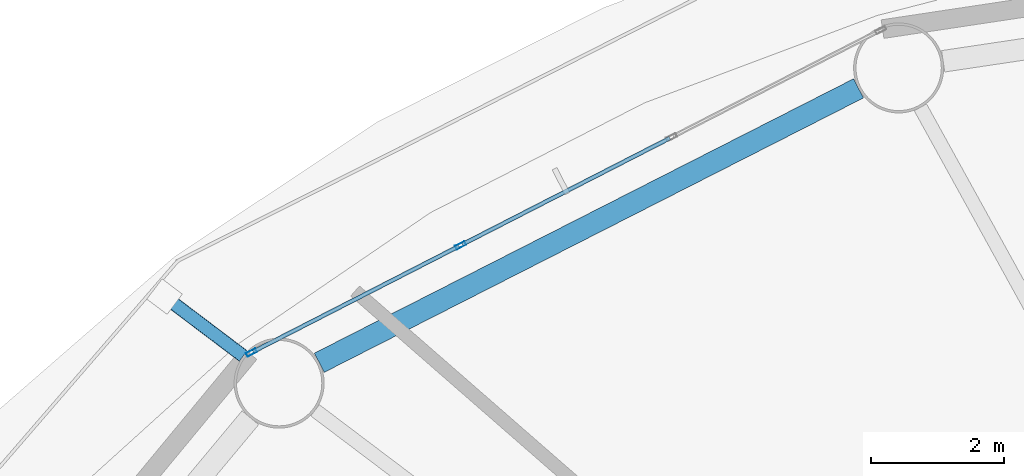
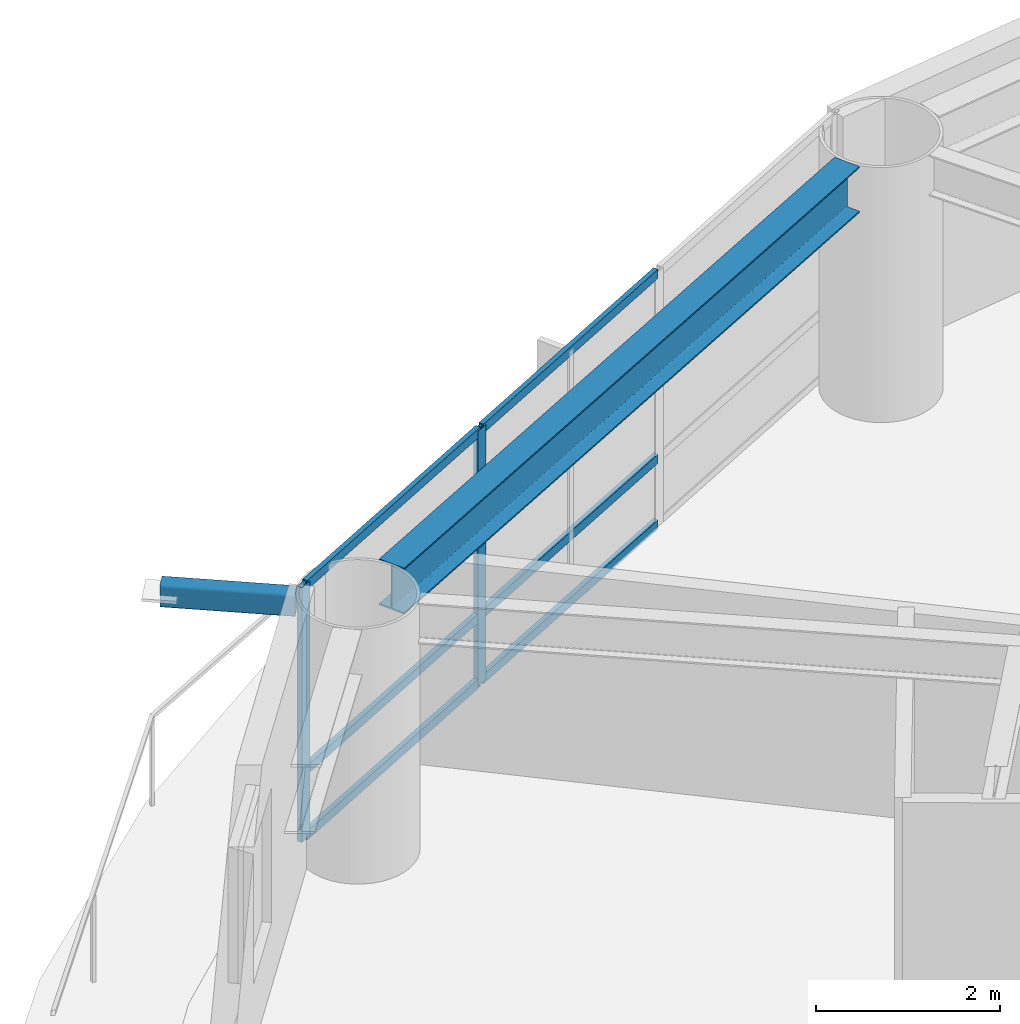
# One storey, part 8 of 24: 9 members, 1 beam, 1 element without a shape of its own.
"""IFC4 building model written with IfcOpenShell, lengths in metres."""

from ifc_helpers import new_model, si_unit, direction, frame, origin, origin_2d, place, context, subcontext, project, spatial, hollow_rectangle, i_section, extrude, material, layer, layer_set, material_profile, profile_set, type_object, element, aggregate, save


model = new_model("IFC4")

# Units and contexts
model_context = context("Model", 3, precision=1e-05, world=origin(), true_north=direction((0.0, 1.0)))
body_context = subcontext(model_context, "Body", "Model", "MODEL_VIEW")
ifc_project = project(units=[si_unit("LENGTHUNIT", "METRE"), si_unit("AREAUNIT", "SQUARE_METRE"), si_unit("VOLUMEUNIT", "CUBIC_METRE"), si_unit("PLANEANGLEUNIT", "RADIAN"), si_unit("MASSUNIT", "GRAM", prefix="KILO")], contexts=[model_context])

# Site, building, storey
site_placement = place(None, origin())
site = spatial("IfcSite", under=ifc_project, at=site_placement, CompositionType="ELEMENT")
building_placement = place(site_placement, origin())
building = spatial("IfcBuilding", under=site, at=building_placement, Name="Sarneth Arch Tower", CompositionType="ELEMENT")
storey_placement = place(building_placement, frame((0.0, 0.0, 123.60009765625)))
storey = spatial("IfcBuildingStorey", under=building, at=storey_placement, Name="L31", CompositionType="ELEMENT", Elevation=123.60009765625)

# Beam
ifc_material_1 = material(Name="Steel S355", Category="steel")
ifc_material_profile_1 = material_profile(ifc_material_1, i_section(OverallWidth=0.323974609375, OverallDepth=0.611083984375, WebThickness=0.0126953125, FlangeThickness=0.01904296875, FilletRadius=0.01904296875, at=origin_2d()), Name="W610x155")
ifc_profile_set_1 = profile_set([ifc_material_profile_1], Name="Steel S355")
beam_type = type_object("IfcBeamType", Name="BM-SPAN-610B", PredefinedType="SPANDREL", material=ifc_profile_set_1)
beam_placement = place(storey_placement, frame((36.2880859375, 61.83447265625, 3.074462890625), z_axis=(-0.891255891792, -0.453500755619, 0.0), x_axis=(0.453500755619, -0.891255891792, 0.0)))
element("IfcBeam", 1, at=beam_placement, inside=storey, type_object=beam_type, Name="L31 Perimeter spandrel beam 06", PredefinedType="SPANDREL", context=body_context, shape_type="SweptSolid", body=[
    extrude(i_section(OverallWidth=0.323974609375, OverallDepth=0.611083984375, WebThickness=0.0126953125, FlangeThickness=0.01904296875, FilletRadius=0.01904296875, at=origin_2d()), origin(), (0.0, 0.0, 1.0), 9.070556640625),
])

# Curtain wall, members
ifc_material_2 = material(Name="Anodised aluminium Type AA25 and solar-control low-e laminated IGU", Category="aluminium")
ifc_layer = layer(ifc_material_2, 0.159912109375)
ifc_layer_set = layer_set([ifc_layer], Name="Anodised aluminium Type AA25 and solar-control low-e laminated IGU")
curtain_wall_type = type_object("IfcCurtainWallType", Name="CW-HOTEL-MID", PredefinedType="NOTDEFINED", material=ifc_layer_set)
curtain_wall_placement = place(storey_placement, origin())
curtain_wall = element("IfcCurtainWall", 2, at=curtain_wall_placement, inside=storey, type_object=curtain_wall_type, Name="L31 Unitised curtain wall facet 06", PredefinedType="NOTDEFINED")
ifc_material_3 = material(Name="Anodised Aluminium 6063-T6", Category="aluminium")
ifc_material_profile_2 = material_profile(ifc_material_3, hollow_rectangle(XDim=0.06005859375, YDim=0.159912109375, WallThickness=0.00390625, at=origin_2d()), Name="AL-MULL-160x60x4")
ifc_profile_set_2 = profile_set([ifc_material_profile_2], Name="Anodised Aluminium 6063-T6")
member_type_1 = type_object("IfcMemberType", Name="CW-MULLION", PredefinedType="MULLION", material=ifc_profile_set_2)
member_1_placement = place(storey_placement, frame((30.322998046875, 59.481201171875, 0.0), z_axis=(0.0, 0.0, 1.0), x_axis=(0.456031365356, -0.889963703649, 0.0)))
member_1 = element("IfcMember", 3, at=member_1_placement, type_object=member_type_1, Name="CW-SYS-4 mullion 3", PredefinedType="MULLION", context=body_context, shape_type="SweptSolid", body=[
    extrude(hollow_rectangle(XDim=0.06005859375, YDim=0.159912109375, WallThickness=0.00390625, at=origin_2d()), origin(), (0.0, 0.0, 1.0), 3.3798828125),
])
member_2_placement = place(storey_placement, frame((27.186767578125, 57.8740234375, 0.0), z_axis=(0.0, 0.0, 1.0), x_axis=(0.456031365356, -0.889963703649, 0.0)))
member_2 = element("IfcMember", 4, at=member_2_placement, type_object=member_type_1, Name="CW-SYS-4 mullion 4", PredefinedType="MULLION", context=body_context, shape_type="SweptSolid", body=[
    extrude(hollow_rectangle(XDim=0.06005859375, YDim=0.159912109375, WallThickness=0.00390625, at=origin_2d()), origin(), (0.0, 0.0, 1.0), 3.3798828125),
])
ifc_material_4 = material(Name="Anodised Aluminium 6063-T6", Category="aluminium")
ifc_material_profile_3 = material_profile(ifc_material_4, hollow_rectangle(XDim=0.06005859375, YDim=0.1201171875, WallThickness=0.00390625, at=origin_2d()), Name="AL-TRAN-120x60x4")
ifc_profile_set_3 = profile_set([ifc_material_profile_3], Name="Anodised Aluminium 6063-T6")
member_type_2 = type_object("IfcMemberType", Name="CW-TRANSOM", PredefinedType="USERDEFINED", material=ifc_profile_set_3)
member_3_placement = place(storey_placement, frame((33.459228515625, 61.088134765625, 0.02978515625), z_axis=(-0.889981813856, -0.455996020823, 0.0), x_axis=(0.455996020823, -0.889981813856, 0.0)))
member_3 = element("IfcMember", 5, at=member_3_placement, type_object=member_type_2, Name="CW-SYS-4 transom 2.1", ObjectType="TRANSOM", PredefinedType="USERDEFINED", context=body_context, shape_type="SweptSolid", body=[
    extrude(hollow_rectangle(XDim=0.06005859375, YDim=0.1201171875, WallThickness=0.00390625, at=origin_2d()), origin(), (0.0, 0.0, 1.0), 3.494140625),
])
member_4_placement = place(storey_placement, frame((33.459228515625, 61.088134765625, 0.89990234375), z_axis=(-0.889981813856, -0.455996020823, 0.0), x_axis=(0.455996020823, -0.889981813856, 0.0)))
member_4 = element("IfcMember", 6, at=member_4_placement, type_object=member_type_2, Name="CW-SYS-4 transom 2.2", ObjectType="TRANSOM", PredefinedType="USERDEFINED", context=body_context, shape_type="SweptSolid", body=[
    extrude(hollow_rectangle(XDim=0.06005859375, YDim=0.1201171875, WallThickness=0.00390625, at=origin_2d()), origin(), (0.0, 0.0, 1.0), 3.494140625),
])
member_5_placement = place(storey_placement, frame((33.459228515625, 61.088134765625, 3.349853515625), z_axis=(-0.889981813856, -0.455996020823, 0.0), x_axis=(0.455996020823, -0.889981813856, 0.0)))
member_5 = element("IfcMember", 7, at=member_5_placement, type_object=member_type_2, Name="CW-SYS-4 transom 2.3", ObjectType="TRANSOM", PredefinedType="USERDEFINED", context=body_context, shape_type="SweptSolid", body=[
    extrude(hollow_rectangle(XDim=0.06005859375, YDim=0.1201171875, WallThickness=0.00390625, at=origin_2d()), origin(), (0.0, 0.0, 1.0), 3.494140625),
])
member_6_placement = place(storey_placement, frame((30.296142578125, 59.467529296875, 0.02978515625), z_axis=(-0.889942905184, -0.456071952122, 0.0), x_axis=(0.456071952122, -0.889942905184, 0.0)))
member_6 = element("IfcMember", 8, at=member_6_placement, type_object=member_type_2, Name="CW-SYS-4 transom 3.1", ObjectType="TRANSOM", PredefinedType="USERDEFINED", context=body_context, shape_type="SweptSolid", body=[
    extrude(hollow_rectangle(XDim=0.06005859375, YDim=0.1201171875, WallThickness=0.00390625, at=origin_2d()), origin(), (0.0, 0.0, 1.0), 3.464111328125),
])
member_7_placement = place(storey_placement, frame((30.296142578125, 59.467529296875, 0.89990234375), z_axis=(-0.889942905184, -0.456071952122, 0.0), x_axis=(0.456071952122, -0.889942905184, 0.0)))
member_7 = element("IfcMember", 9, at=member_7_placement, type_object=member_type_2, Name="CW-SYS-4 transom 3.2", ObjectType="TRANSOM", PredefinedType="USERDEFINED", context=body_context, shape_type="SweptSolid", body=[
    extrude(hollow_rectangle(XDim=0.06005859375, YDim=0.1201171875, WallThickness=0.00390625, at=origin_2d()), origin(), (0.0, 0.0, 1.0), 3.464111328125),
])
member_8_placement = place(storey_placement, frame((30.296142578125, 59.467529296875, 3.349853515625), z_axis=(-0.889942905184, -0.456071952122, 0.0), x_axis=(0.456071952122, -0.889942905184, 0.0)))
member_8 = element("IfcMember", 10, at=member_8_placement, type_object=member_type_2, Name="CW-SYS-4 transom 3.3", ObjectType="TRANSOM", PredefinedType="USERDEFINED", context=body_context, shape_type="SweptSolid", body=[
    extrude(hollow_rectangle(XDim=0.06005859375, YDim=0.1201171875, WallThickness=0.00390625, at=origin_2d()), origin(), (0.0, 0.0, 1.0), 3.464111328125),
])
aggregate(curtain_wall, [member_1, member_2, member_3, member_4, member_5, member_6, member_7, member_8])

# Member
ifc_material_5 = material(Name="Steel S355", Category="steel")
ifc_material_profile_4 = material_profile(ifc_material_5, hollow_rectangle(XDim=0.199951171875, YDim=0.300048828125, WallThickness=0.012451171875, InnerFilletRadius=0.018798828125, OuterFilletRadius=0.03125, at=origin_2d()), Name="RHS300x200x12.5")
ifc_profile_set_4 = profile_set([ifc_material_profile_4], Name="Steel S355")
member_type_3 = type_object("IfcMemberType", Name="MEM-CANT-STRUT", PredefinedType="STRUT", material=ifc_profile_set_4)
member_9_placement = place(storey_placement, frame((27.063720703125, 57.822021484375, 3.219970703125), z_axis=(-0.797853193091, 0.6028517913, 0.0), x_axis=(-0.6028517913, -0.797853193091, 0.0)))
element("IfcMember", 11, at=member_9_placement, inside=storey, type_object=member_type_3, Name="L31 Balcony cantilever bracket 07", PredefinedType="STRUT", context=body_context, shape_type="SweptSolid", body=[
    extrude(hollow_rectangle(XDim=0.199951171875, YDim=0.300048828125, WallThickness=0.012451171875, InnerFilletRadius=0.018798828125, OuterFilletRadius=0.03125, at=origin_2d()), origin(), (0.0, 0.0, 1.0), 1.477294921875),
])

save(model, "model.ifc")
